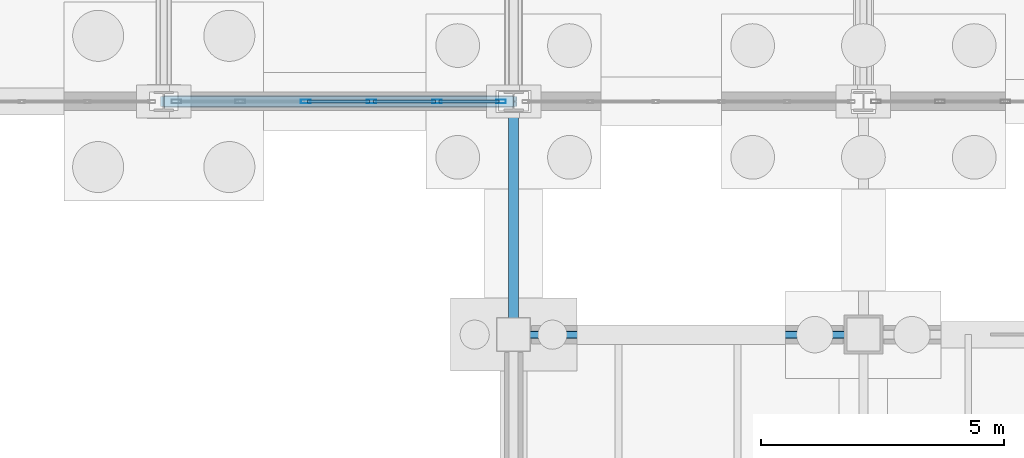
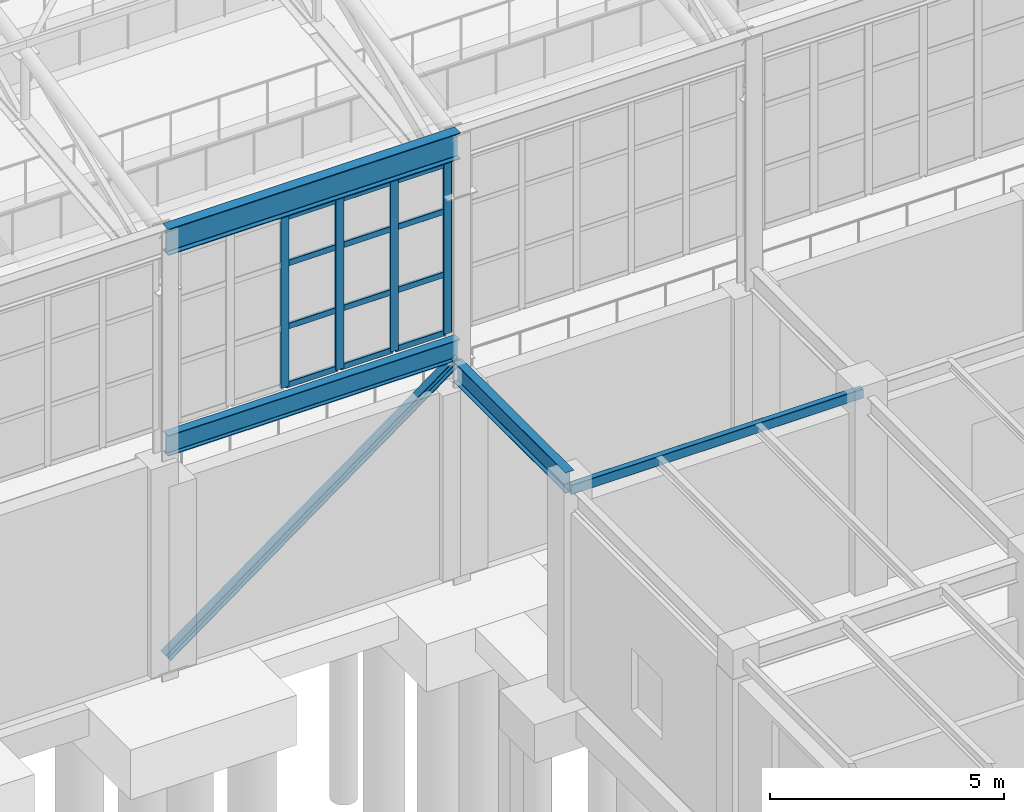
# One storey, part 135 of 293: 17 members, 4 beams, 1 element without a shape of its own.
"""IFC4 building model written with IfcOpenShell, lengths in metres."""

import ifcopenshell
import ifcopenshell.guid

model = None  # the IFC model being written
_history = None  # IfcOwnerHistory: only IFC2X3 demands one
_inside = {}  # id of a spatial element -> (the spatial element, [elements in it])
_under = {}  # id of a project, library or spatial element -> (it, [spatial elements below it])
_declared = {}  # id of a project -> (the project, [libraries it declares])
_typed = {}  # id of a type object -> (the type object, [elements of that type])
_made_of = {}  # id of a material, layer set ... -> (it, [elements and type objects made of it])


def new_model(schema):
    """Start an empty IFC model of exactly this schema.

    Asked for "IFC4X3", IfcOpenShell would pick the latest addendum, in which some entities
    have other attributes; the version numbers below select the first issue.
    IFC2X3 requires an IfcOwnerHistory on every rooted entity: one is made here for all.
    """
    global model, _history
    if schema == "IFC4X3":
        model = ifcopenshell.file(schema_version=(4, 3, 0, 0))
    else:
        model = ifcopenshell.file(schema=schema)
    _inside.clear()
    _under.clear()
    _declared.clear()
    _typed.clear()
    _made_of.clear()
    _history = None
    if model.schema == "IFC2X3":
        org = make("IfcOrganization", Name="unknown")
        user = make(
            "IfcPersonAndOrganization",
            ThePerson=make("IfcPerson", FamilyName="unknown"),
            TheOrganization=org,
        )
        app = make(
            "IfcApplication",
            ApplicationDeveloper=org,
            Version="unknown",
            ApplicationFullName="unknown",
            ApplicationIdentifier="unknown",
        )
        _history = make(
            "IfcOwnerHistory",
            OwningUser=user,
            OwningApplication=app,
            ChangeAction="ADDED",
            CreationDate=0,
        )
    return model


def make(cls, **values):
    """One entity of the class cls with the attributes given. An attribute that is None is left unset."""
    return model.create_entity(
        cls, **{name: value for name, value in values.items() if value is not None}
    )


def rooted(cls, **values):
    """An entity with a GlobalId (a new one), such as an element, a storey or a relation."""
    return make(cls, GlobalId=ifcopenshell.guid.new(), OwnerHistory=_history, **values)


def si_unit(unit_type, name, prefix=None):
    """IfcSIUnit, for example si_unit("LENGTHUNIT", "METRE", prefix="MILLI")."""
    return make("IfcSIUnit", UnitType=unit_type, Prefix=prefix, Name=name)


def assignment(units):
    """IfcUnitAssignment: the units of a project."""
    return None if units is None else make("IfcUnitAssignment", Units=units)


def point(xyz):
    """IfcCartesianPoint."""
    return None if xyz is None else make("IfcCartesianPoint", Coordinates=xyz)


def direction(xyz):
    """IfcDirection."""
    return None if xyz is None else make("IfcDirection", DirectionRatios=xyz)


def frame(location, z_axis=None, x_axis=None):
    """IfcAxis2Placement3D, a coordinate frame: its origin and axes. An axis left out is left unset."""
    return make(
        "IfcAxis2Placement3D",
        Location=point(location),
        Axis=direction(z_axis),
        RefDirection=direction(x_axis),
    )


def frame_2d(location, x_axis=None):
    """IfcAxis2Placement2D, a coordinate frame in the plane: its origin and x axis."""
    return make(
        "IfcAxis2Placement2D", Location=point(location), RefDirection=direction(x_axis)
    )


def origin():
    """The frame at (0, 0, 0) with its axes left unset."""
    return frame((0.0, 0.0, 0.0))


def origin_2d():
    """The frame at (0, 0) in the plane with its x axis left unset."""
    return frame_2d((0.0, 0.0))


def place(relative_to, where):
    """IfcLocalPlacement: puts the frame where relative to a parent placement (None: the world)."""
    return make(
        "IfcLocalPlacement", PlacementRelTo=relative_to, RelativePlacement=where
    )


def context(
    kind, dimensions, precision=None, world=None, true_north=None, identifier=None
):
    """IfcGeometricRepresentationContext, for example the 3D "Model" context."""
    return make(
        "IfcGeometricRepresentationContext",
        ContextIdentifier=identifier,
        ContextType=kind,
        CoordinateSpaceDimension=dimensions,
        Precision=precision,
        WorldCoordinateSystem=world,
        TrueNorth=true_north,
    )


def subcontext(parent, identifier, kind, view, scale=None):
    """IfcGeometricRepresentationSubContext, for example "Body" below "Model"."""
    return make(
        "IfcGeometricRepresentationSubContext",
        ContextIdentifier=identifier,
        ContextType=kind,
        ParentContext=parent,
        TargetScale=scale,
        TargetView=view,
    )


def project(units=None, contexts=None):
    """IfcProject with its units and contexts."""
    return rooted(
        "IfcProject",
        Name="project",
        RepresentationContexts=contexts,
        UnitsInContext=assignment(units),
    )


def spatial(cls, under=None, at=None, **own):
    """A site, building, storey or space (cls), placed at a placement, below another one or the project."""
    s = rooted(cls, ObjectPlacement=at, **own)
    if under is not None:
        _under.setdefault(under.id(), (under, []))[1].append(s)
    return s


def profile(cls, at=None, kind="AREA", **sizes):
    """A parametric profile (cls). Its sizes go by their IFC names, for example OverallWidth=200.0."""
    return make(cls, ProfileType=kind, Position=at, **sizes)


def hollow_rectangle(**sizes):
    """IfcRectangleHollowProfileDef."""
    return profile("IfcRectangleHollowProfileDef", **sizes)


def i_section(**sizes):
    """IfcIShapeProfileDef."""
    return profile("IfcIShapeProfileDef", **sizes)


def extrude(swept, where, along, depth):
    """IfcExtrudedAreaSolid: the profile swept, set in the frame where, extruded along a direction by depth."""
    return make(
        "IfcExtrudedAreaSolid",
        SweptArea=swept,
        Position=where,
        ExtrudedDirection=direction(along),
        Depth=depth,
    )


def shape(context_of_items, identifier, shape_type, items):
    """IfcShapeRepresentation: the items that make up one representation, for example the "Body"."""
    return make(
        "IfcShapeRepresentation",
        ContextOfItems=context_of_items,
        RepresentationIdentifier=identifier,
        RepresentationType=shape_type,
        Items=items,
    )


def material(Name=None, Category=None):
    """IfcMaterial."""
    return make("IfcMaterial", Name=Name, Category=Category)


def layer(
    of_material, thickness, ventilated=None, Name=None, Category=None, Priority=None
):
    """IfcMaterialLayer: one layer of a wall or slab, of a material (None: an air gap)."""
    return make(
        "IfcMaterialLayer",
        Material=of_material,
        LayerThickness=thickness,
        IsVentilated=ventilated,
        Name=Name,
        Category=Category,
        Priority=Priority,
    )


def layer_set(layers, Name=None):
    """IfcMaterialLayerSet."""
    return make("IfcMaterialLayerSet", MaterialLayers=layers, LayerSetName=Name)


def material_profile(
    of_material, cross_section, Name=None, Category=None, Priority=None
):
    """IfcMaterialProfile: a cross section and its material."""
    return make(
        "IfcMaterialProfile",
        Name=Name,
        Material=of_material,
        Profile=cross_section,
        Priority=Priority,
        Category=Category,
    )


def profile_set(profiles, Name=None, composite=None):
    """IfcMaterialProfileSet."""
    return make(
        "IfcMaterialProfileSet",
        Name=Name,
        MaterialProfiles=profiles,
        CompositeProfile=composite,
    )


def made_of(thing, what):
    """Note that an element or type object is made of a material, layer set ...; save() writes the relation."""
    if what is not None:
        _made_of.setdefault(what.id(), (what, []))[1].append(thing)
    return thing


def type_object(cls, material=None, **own):
    """A type object (cls), such as IfcWallType, which elements share."""
    return made_of(rooted(cls, **own), material)


def element(
    cls,
    number,
    at=None,
    inside=None,
    cuts=None,
    type_object=None,
    material=None,
    context=None,
    identifier="Body",
    shape_type=None,
    held_by="IfcProductDefinitionShape",
    body=None,
    shapes=None,
    **own,
):
    """One element of the class cls, such as IfcWall. Its Tag is "e" and its number.

    at: its placement. inside: the storey or other place that contains it. cuts: it is an
    opening in that element (IfcRelVoidsElement). A single representation is given by context,
    identifier, shape_type and body (its items); several are given by shapes. held_by: the class
    of the entity that holds the representations. save() writes the other relations.
    """
    e = rooted(cls, Tag="e%d" % number, ObjectPlacement=at, **own)
    if body is not None:
        shapes = [shape(context, identifier, shape_type, body)]
    if shapes is not None:
        e.Representation = make(held_by, Representations=shapes)
    if inside is not None:
        _inside.setdefault(inside.id(), (inside, []))[1].append(e)
    if cuts is not None:
        rooted(
            "IfcRelVoidsElement", RelatingBuildingElement=cuts, RelatedOpeningElement=e
        )
    if type_object is not None:
        _typed.setdefault(type_object.id(), (type_object, []))[1].append(e)
    return made_of(e, material)


def aggregate(whole, parts):
    """IfcRelAggregates: a whole, such as a stair, and the parts it consists of."""
    return rooted("IfcRelAggregates", RelatingObject=whole, RelatedObjects=parts)


def save(model, path):
    """Write the relations noted so far, then the file.

    IfcRelAggregates (storeys below a building ...), IfcRelContainedInSpatialStructure (elements
    in a storey), IfcRelDefinesByType, IfcRelAssociatesMaterial and IfcRelDeclares: one each for
    every whole, place, type object, material and project.
    """
    for whole, parts in _under.values():
        aggregate(whole, parts)
    for where, things in _inside.values():
        rooted(
            "IfcRelContainedInSpatialStructure",
            RelatedElements=things,
            RelatingStructure=where,
        )
    for kind, things in _typed.values():
        rooted("IfcRelDefinesByType", RelatedObjects=things, RelatingType=kind)
    for what, things in _made_of.values():
        rooted("IfcRelAssociatesMaterial", RelatedObjects=things, RelatingMaterial=what)
    for by, libraries in _declared.values():
        rooted("IfcRelDeclares", RelatingContext=by, RelatedDefinitions=libraries)
    model.write(path)


model = new_model("IFC4")

# Units and contexts
model_context = context("Model", 3, precision=1e-05, world=origin(), true_north=direction((0.0, 1.0)))
body_context = subcontext(model_context, "Body", "Model", "MODEL_VIEW")
ifc_project = project(units=[si_unit("LENGTHUNIT", "METRE"), si_unit("AREAUNIT", "SQUARE_METRE"), si_unit("VOLUMEUNIT", "CUBIC_METRE"), si_unit("PLANEANGLEUNIT", "RADIAN"), si_unit("MASSUNIT", "GRAM", prefix="KILO")], contexts=[model_context])

# Site, building, storey
site_placement = place(None, origin())
site = spatial("IfcSite", under=ifc_project, at=site_placement, CompositionType="ELEMENT")
building_placement = place(site_placement, origin())
building = spatial("IfcBuilding", under=site, at=building_placement, Name="Kemerveld Promenade Tramway Depot", CompositionType="ELEMENT")
storey_placement = place(building_placement, origin())
storey = spatial("IfcBuildingStorey", under=building, at=storey_placement, Name="L00", CompositionType="ELEMENT", Elevation=0.0)

# Beams
ifc_material_1 = material(Name="Steel S355", Category="steel")
ifc_material_profile_1 = material_profile(ifc_material_1, i_section(OverallWidth=0.25439453125, OverallDepth=0.6875, WebThickness=0.01318359375, FlangeThickness=0.02099609375, FilletRadius=0.01513671875, at=origin_2d()), Name="686x254x152 UB")
ifc_profile_set_1 = profile_set([ifc_material_profile_1], Name="Steel S355")
beam_type_1 = type_object("IfcBeamType", Name="BM-G03", PredefinedType="BEAM", material=ifc_profile_set_1)
beam_1_placement = place(storey_placement, frame((108.0, 84.0, 11.056396484375), z_axis=(1.0, 0.0, 0.0), x_axis=(0.0, 1.0, 0.0)))
element("IfcBeam", 1, at=beam_1_placement, inside=storey, type_object=beam_type_1, Name="BM-SHED-EAVE-N-16", PredefinedType="BEAM", context=body_context, shape_type="SweptSolid", body=[
    extrude(i_section(OverallWidth=0.25439453125, OverallDepth=0.6875, WebThickness=0.01318359375, FlangeThickness=0.02099609375, FilletRadius=0.01513671875, at=origin_2d()), origin(), (0.0, 0.0, 1.0), 7.199951171875),
])
ifc_material_profile_2 = material_profile(ifc_material_1, i_section(OverallWidth=0.2099609375, OverallDepth=0.53662109375, WebThickness=0.0107421875, FlangeThickness=0.017333984375, FilletRadius=0.0126953125, at=origin_2d()), Name="533x210x101 UB")
ifc_profile_set_2 = profile_set([ifc_material_profile_2], Name="Steel S355")
beam_type_2 = type_object("IfcBeamType", Name="BM-G05", PredefinedType="BEAM", material=ifc_profile_set_2)
beam_2_placement = place(storey_placement, frame((108.0, 84.0, 5.731689453125), z_axis=(1.0, 0.0, 0.0), x_axis=(0.0, 1.0, 0.0)))
element("IfcBeam", 2, at=beam_2_placement, inside=storey, type_object=beam_type_2, Name="BM-SHED-MID-N-16", PredefinedType="BEAM", context=body_context, shape_type="SweptSolid", body=[
    extrude(i_section(OverallWidth=0.2099609375, OverallDepth=0.53662109375, WebThickness=0.0107421875, FlangeThickness=0.017333984375, FilletRadius=0.0126953125, at=origin_2d()), origin(), (0.0, 0.0, 1.0), 7.199951171875),
])
beam_3_placement = place(storey_placement, frame((115.199951171875, 79.199951171875, 5.131591796875), z_axis=(0.0, 1.0, 0.0), x_axis=(-1.0, 0.0, 0.0)))
element("IfcBeam", 3, at=beam_3_placement, inside=storey, type_object=beam_type_2, Name="BM-LINK-17-MN", PredefinedType="BEAM", context=body_context, shape_type="SweptSolid", body=[
    extrude(i_section(OverallWidth=0.2099609375, OverallDepth=0.53662109375, WebThickness=0.0107421875, FlangeThickness=0.017333984375, FilletRadius=0.0126953125, at=origin_2d()), origin(), (0.0, 0.0, 1.0), 4.800048828125),
])
ifc_material_profile_3 = material_profile(ifc_material_1, hollow_rectangle(XDim=0.14990234375, YDim=0.25, WallThickness=0.010009765625, InnerFilletRadius=0.0048828125, OuterFilletRadius=0.014892578125, at=origin_2d()), Name="250x150x10.0 RHS")
ifc_profile_set_3 = profile_set([ifc_material_profile_3], Name="Steel S355")
beam_type_3 = type_object("IfcBeamType", Name="BM-G17", PredefinedType="BEAM", material=ifc_profile_set_3)
beam_4_placement = place(storey_placement, frame((115.199951171875, 79.199951171875, 4.955078125), z_axis=(1.0, 0.0, 0.0), x_axis=(0.0, 1.0, 0.0)))
element("IfcBeam", 4, at=beam_4_placement, inside=storey, type_object=beam_type_3, Name="BMX-L00-17-18-M", PredefinedType="BEAM", context=body_context, shape_type="SweptSolid", body=[
    extrude(hollow_rectangle(XDim=0.14990234375, YDim=0.25, WallThickness=0.010009765625, InnerFilletRadius=0.0048828125, OuterFilletRadius=0.014892578125, at=origin_2d()), origin(), (0.0, 0.0, 1.0), 7.199951171875),
])

# Curtain wall, members
ifc_material_2 = material(Name="Bronze anodised aluminium and solar glass", Category="aluminium")
ifc_layer = layer(ifc_material_2, 0.199951171875)
ifc_layer_set = layer_set([ifc_layer], Name="CW-SYS-14")
curtain_wall_type = type_object("IfcCurtainWallType", Name="CW-SYS-14", PredefinedType="USERDEFINED", material=ifc_layer_set)
curtain_wall_placement = place(storey_placement, origin())
curtain_wall = element("IfcCurtainWall", 5, at=curtain_wall_placement, inside=storey, type_object=curtain_wall_type, Name="CW-V1-S-11", ObjectType="GLAZED_CURTAIN_WALL", PredefinedType="USERDEFINED")
ifc_material_3 = material(Name="Bronze anodised aluminium", Category="aluminium")
ifc_material_profile_4 = material_profile(ifc_material_3, hollow_rectangle(XDim=0.074951171875, YDim=0.199951171875, WallThickness=0.0048828125, InnerFilletRadius=0.001953125, OuterFilletRadius=0.0048828125, at=origin_2d()), Name="CW-MUL-200x75")
ifc_profile_set_4 = profile_set([ifc_material_profile_4], Name="Bronze anodised aluminium")
member_type_1 = type_object("IfcMemberType", Name="CW-MUL-B", PredefinedType="MULLION", material=ifc_profile_set_4)
member_1_placement = place(storey_placement, frame((114.939208984375, 84.0, 6.199951171875), z_axis=(0.0, 0.0, 1.0), x_axis=(0.0, -1.0, 0.0)))
member_1 = element("IfcMember", 6, at=member_1_placement, type_object=member_type_1, Name="CW14 mullion 1", PredefinedType="MULLION", context=body_context, shape_type="SweptSolid", body=[
    extrude(hollow_rectangle(XDim=0.074951171875, YDim=0.199951171875, WallThickness=0.0048828125, InnerFilletRadius=0.001953125, OuterFilletRadius=0.0048828125, at=origin_2d()), origin(), (0.0, 0.0, 1.0), 4.449951171875),
])
member_2_placement = place(storey_placement, frame((113.6259765625, 84.0, 6.199951171875), z_axis=(0.0, 0.0, 1.0), x_axis=(0.0, -1.0, 0.0)))
member_2 = element("IfcMember", 7, at=member_2_placement, type_object=member_type_1, Name="CW14 mullion 2", PredefinedType="MULLION", context=body_context, shape_type="SweptSolid", body=[
    extrude(hollow_rectangle(XDim=0.074951171875, YDim=0.199951171875, WallThickness=0.0048828125, InnerFilletRadius=0.001953125, OuterFilletRadius=0.0048828125, at=origin_2d()), origin(), (0.0, 0.0, 1.0), 4.449951171875),
])
member_3_placement = place(storey_placement, frame((112.275390625, 84.0, 6.199951171875), z_axis=(0.0, 0.0, 1.0), x_axis=(0.0, -1.0, 0.0)))
member_3 = element("IfcMember", 8, at=member_3_placement, type_object=member_type_1, Name="CW14 mullion 3", PredefinedType="MULLION", context=body_context, shape_type="SweptSolid", body=[
    extrude(hollow_rectangle(XDim=0.074951171875, YDim=0.199951171875, WallThickness=0.0048828125, InnerFilletRadius=0.001953125, OuterFilletRadius=0.0048828125, at=origin_2d()), origin(), (0.0, 0.0, 1.0), 4.449951171875),
])
member_4_placement = place(storey_placement, frame((110.924560546875, 84.0, 6.199951171875), z_axis=(0.0, 0.0, 1.0), x_axis=(0.0, -1.0, 0.0)))
member_4 = element("IfcMember", 9, at=member_4_placement, type_object=member_type_1, Name="CW14 mullion 4", PredefinedType="MULLION", context=body_context, shape_type="SweptSolid", body=[
    extrude(hollow_rectangle(XDim=0.074951171875, YDim=0.199951171875, WallThickness=0.0048828125, InnerFilletRadius=0.001953125, OuterFilletRadius=0.0048828125, at=origin_2d()), origin(), (0.0, 0.0, 1.0), 4.449951171875),
])
ifc_material_profile_5 = material_profile(ifc_material_3, hollow_rectangle(XDim=0.06494140625, YDim=0.14990234375, WallThickness=0.00439453125, InnerFilletRadius=0.001953125, OuterFilletRadius=0.00439453125, at=origin_2d()), Name="CW-TRN-150x65")
ifc_profile_set_5 = profile_set([ifc_material_profile_5], Name="Bronze anodised aluminium")
member_type_2 = type_object("IfcMemberType", Name="CW-TRN-B", PredefinedType="USERDEFINED", material=ifc_profile_set_5)
member_5_placement = place(storey_placement, frame((114.90185546875, 84.0, 6.232421875), z_axis=(-1.0, 0.0, 0.0), x_axis=(0.0, -1.0, 0.0)))
member_5 = element("IfcMember", 10, at=member_5_placement, type_object=member_type_2, Name="CW14 transom 1.1", ObjectType="TRANSOM", PredefinedType="USERDEFINED", context=body_context, shape_type="SweptSolid", body=[
    extrude(hollow_rectangle(XDim=0.06494140625, YDim=0.14990234375, WallThickness=0.00439453125, InnerFilletRadius=0.001953125, OuterFilletRadius=0.00439453125, at=origin_2d()), origin(), (0.0, 0.0, 1.0), 1.23828125),
])
member_6_placement = place(storey_placement, frame((114.90185546875, 84.0, 7.758056640625), z_axis=(-1.0, 0.0, 0.0), x_axis=(0.0, -1.0, 0.0)))
member_6 = element("IfcMember", 11, at=member_6_placement, type_object=member_type_2, Name="CW14 transom 1.2", ObjectType="TRANSOM", PredefinedType="USERDEFINED", context=body_context, shape_type="SweptSolid", body=[
    extrude(hollow_rectangle(XDim=0.06494140625, YDim=0.14990234375, WallThickness=0.00439453125, InnerFilletRadius=0.001953125, OuterFilletRadius=0.00439453125, at=origin_2d()), origin(), (0.0, 0.0, 1.0), 1.23828125),
])
member_7_placement = place(storey_placement, frame((114.90185546875, 84.0, 9.404052734375), z_axis=(-1.0, 0.0, 0.0), x_axis=(0.0, -1.0, 0.0)))
member_7 = element("IfcMember", 12, at=member_7_placement, type_object=member_type_2, Name="CW14 transom 1.3", ObjectType="TRANSOM", PredefinedType="USERDEFINED", context=body_context, shape_type="SweptSolid", body=[
    extrude(hollow_rectangle(XDim=0.06494140625, YDim=0.14990234375, WallThickness=0.00439453125, InnerFilletRadius=0.001953125, OuterFilletRadius=0.00439453125, at=origin_2d()), origin(), (0.0, 0.0, 1.0), 1.23828125),
])
member_8_placement = place(storey_placement, frame((114.90185546875, 84.0, 10.617431640625), z_axis=(-1.0, 0.0, 0.0), x_axis=(0.0, -1.0, 0.0)))
member_8 = element("IfcMember", 13, at=member_8_placement, type_object=member_type_2, Name="CW14 transom 1.4", ObjectType="TRANSOM", PredefinedType="USERDEFINED", context=body_context, shape_type="SweptSolid", body=[
    extrude(hollow_rectangle(XDim=0.06494140625, YDim=0.14990234375, WallThickness=0.00439453125, InnerFilletRadius=0.001953125, OuterFilletRadius=0.00439453125, at=origin_2d()), origin(), (0.0, 0.0, 1.0), 1.23828125),
])
member_9_placement = place(storey_placement, frame((113.588623046875, 84.0, 6.232421875), z_axis=(-1.0, 0.0, 0.0), x_axis=(0.0, -1.0, 0.0)))
member_9 = element("IfcMember", 14, at=member_9_placement, type_object=member_type_2, Name="CW14 transom 2.1", ObjectType="TRANSOM", PredefinedType="USERDEFINED", context=body_context, shape_type="SweptSolid", body=[
    extrude(hollow_rectangle(XDim=0.06494140625, YDim=0.14990234375, WallThickness=0.00439453125, InnerFilletRadius=0.001953125, OuterFilletRadius=0.00439453125, at=origin_2d()), origin(), (0.0, 0.0, 1.0), 1.27587890625),
])
member_10_placement = place(storey_placement, frame((113.588623046875, 84.0, 7.758056640625), z_axis=(-1.0, 0.0, 0.0), x_axis=(0.0, -1.0, 0.0)))
member_10 = element("IfcMember", 15, at=member_10_placement, type_object=member_type_2, Name="CW14 transom 2.2", ObjectType="TRANSOM", PredefinedType="USERDEFINED", context=body_context, shape_type="SweptSolid", body=[
    extrude(hollow_rectangle(XDim=0.06494140625, YDim=0.14990234375, WallThickness=0.00439453125, InnerFilletRadius=0.001953125, OuterFilletRadius=0.00439453125, at=origin_2d()), origin(), (0.0, 0.0, 1.0), 1.27587890625),
])
member_11_placement = place(storey_placement, frame((113.588623046875, 84.0, 9.404052734375), z_axis=(-1.0, 0.0, 0.0), x_axis=(0.0, -1.0, 0.0)))
member_11 = element("IfcMember", 16, at=member_11_placement, type_object=member_type_2, Name="CW14 transom 2.3", ObjectType="TRANSOM", PredefinedType="USERDEFINED", context=body_context, shape_type="SweptSolid", body=[
    extrude(hollow_rectangle(XDim=0.06494140625, YDim=0.14990234375, WallThickness=0.00439453125, InnerFilletRadius=0.001953125, OuterFilletRadius=0.00439453125, at=origin_2d()), origin(), (0.0, 0.0, 1.0), 1.27587890625),
])
member_12_placement = place(storey_placement, frame((113.588623046875, 84.0, 10.617431640625), z_axis=(-1.0, 0.0, 0.0), x_axis=(0.0, -1.0, 0.0)))
member_12 = element("IfcMember", 17, at=member_12_placement, type_object=member_type_2, Name="CW14 transom 2.4", ObjectType="TRANSOM", PredefinedType="USERDEFINED", context=body_context, shape_type="SweptSolid", body=[
    extrude(hollow_rectangle(XDim=0.06494140625, YDim=0.14990234375, WallThickness=0.00439453125, InnerFilletRadius=0.001953125, OuterFilletRadius=0.00439453125, at=origin_2d()), origin(), (0.0, 0.0, 1.0), 1.27587890625),
])
member_13_placement = place(storey_placement, frame((112.23779296875, 84.0, 6.232421875), z_axis=(-1.0, 0.0, 0.0), x_axis=(0.0, -1.0, 0.0)))
member_13 = element("IfcMember", 18, at=member_13_placement, type_object=member_type_2, Name="CW14 transom 3.1", ObjectType="TRANSOM", PredefinedType="USERDEFINED", context=body_context, shape_type="SweptSolid", body=[
    extrude(hollow_rectangle(XDim=0.06494140625, YDim=0.14990234375, WallThickness=0.00439453125, InnerFilletRadius=0.001953125, OuterFilletRadius=0.00439453125, at=origin_2d()), origin(), (0.0, 0.0, 1.0), 1.275634765625),
])
member_14_placement = place(storey_placement, frame((112.23779296875, 84.0, 7.758056640625), z_axis=(-1.0, 0.0, 0.0), x_axis=(0.0, -1.0, 0.0)))
member_14 = element("IfcMember", 19, at=member_14_placement, type_object=member_type_2, Name="CW14 transom 3.2", ObjectType="TRANSOM", PredefinedType="USERDEFINED", context=body_context, shape_type="SweptSolid", body=[
    extrude(hollow_rectangle(XDim=0.06494140625, YDim=0.14990234375, WallThickness=0.00439453125, InnerFilletRadius=0.001953125, OuterFilletRadius=0.00439453125, at=origin_2d()), origin(), (0.0, 0.0, 1.0), 1.275634765625),
])
member_15_placement = place(storey_placement, frame((112.23779296875, 84.0, 9.404052734375), z_axis=(-1.0, 0.0, 0.0), x_axis=(0.0, -1.0, 0.0)))
member_15 = element("IfcMember", 20, at=member_15_placement, type_object=member_type_2, Name="CW14 transom 3.3", ObjectType="TRANSOM", PredefinedType="USERDEFINED", context=body_context, shape_type="SweptSolid", body=[
    extrude(hollow_rectangle(XDim=0.06494140625, YDim=0.14990234375, WallThickness=0.00439453125, InnerFilletRadius=0.001953125, OuterFilletRadius=0.00439453125, at=origin_2d()), origin(), (0.0, 0.0, 1.0), 1.275634765625),
])
member_16_placement = place(storey_placement, frame((112.23779296875, 84.0, 10.617431640625), z_axis=(-1.0, 0.0, 0.0), x_axis=(0.0, -1.0, 0.0)))
member_16 = element("IfcMember", 21, at=member_16_placement, type_object=member_type_2, Name="CW14 transom 3.4", ObjectType="TRANSOM", PredefinedType="USERDEFINED", context=body_context, shape_type="SweptSolid", body=[
    extrude(hollow_rectangle(XDim=0.06494140625, YDim=0.14990234375, WallThickness=0.00439453125, InnerFilletRadius=0.001953125, OuterFilletRadius=0.00439453125, at=origin_2d()), origin(), (0.0, 0.0, 1.0), 1.275634765625),
])
aggregate(curtain_wall, [member_1, member_2, member_3, member_4, member_5, member_6, member_7, member_8, member_9, member_10, member_11, member_12, member_13, member_14, member_15, member_16])

# Member
ifc_material_profile_6 = material_profile(ifc_material_1, i_section(OverallWidth=0.208984375, OverallDepth=0.22216796875, WebThickness=0.0126953125, FlangeThickness=0.0205078125, FilletRadius=0.01025390625, at=origin_2d()), Name="203x203x86 UC")
ifc_profile_set_6 = profile_set([ifc_material_profile_6], Name="Steel S355")
member_type_3 = type_object("IfcMemberType", Name="MB-TB5", PredefinedType="BRACE", material=ifc_profile_set_6)
member_17_placement = place(storey_placement, frame((108.0, 84.0, 0.199951171875), z_axis=(0.807288292304, 0.0, 0.590157278281), x_axis=(0.0, 1.0, 0.0)))
element("IfcMember", 22, at=member_17_placement, inside=storey, type_object=member_type_3, Name="BR-SHED-WALL-N-16-A", PredefinedType="BRACE", context=body_context, shape_type="SweptSolid", body=[
    extrude(i_section(OverallWidth=0.208984375, OverallDepth=0.22216796875, WebThickness=0.0126953125, FlangeThickness=0.0205078125, FilletRadius=0.01025390625, at=origin_2d()), origin(), (0.0, 0.0, 1.0), 8.918701171875),
])

save(model, "model.ifc")
